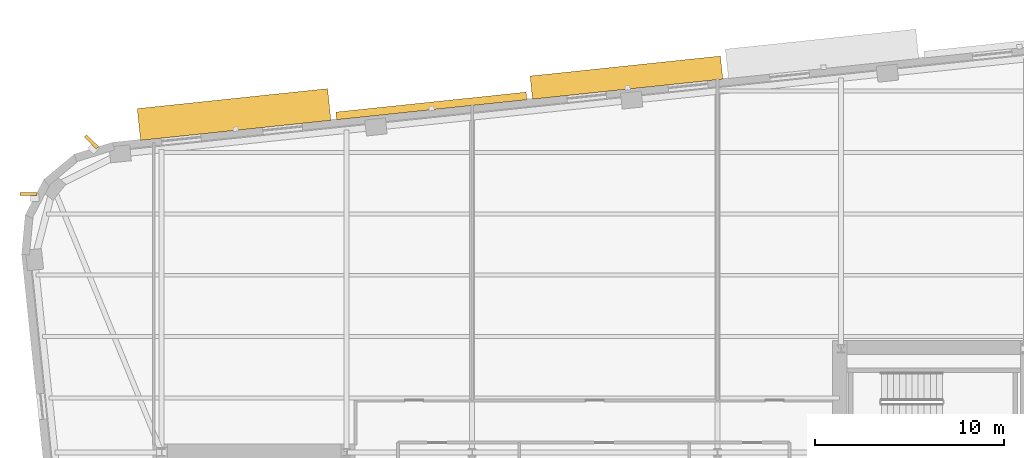
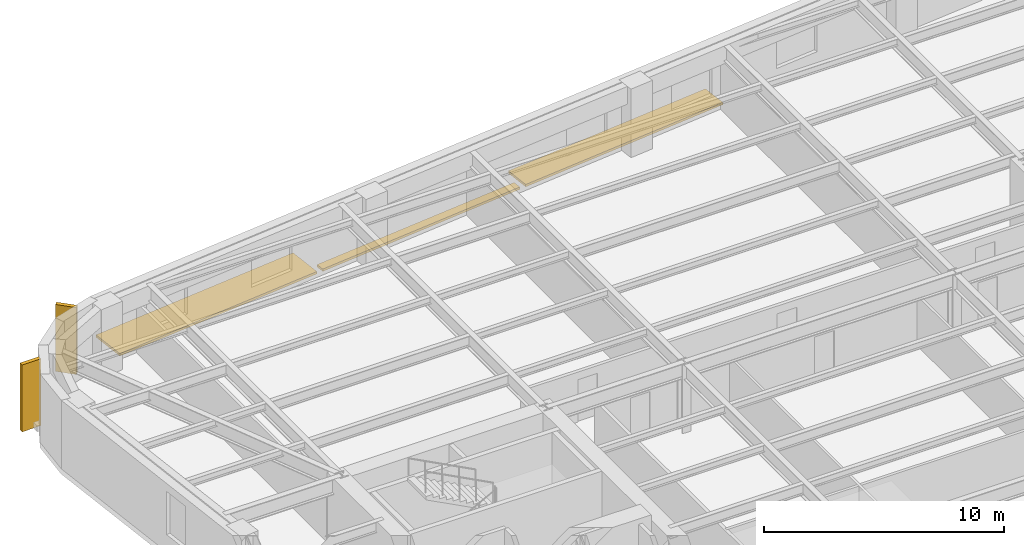
# One storey, part 12 of 14: 5 shading devices.
"""IFC4 building model written with IfcOpenShell, lengths in metres."""

from ifc_helpers import new_model, si_unit, direction, frame, origin, origin_2d, place, context, subcontext, project, spatial, rectangle, extrude, material, type_object, element, save


model = new_model("IFC4")

# Units and contexts
model_context = context("Model", 3, precision=1e-05, world=origin(), true_north=direction((0.0, 1.0)))
body_context = subcontext(model_context, "Body", "Model", "MODEL_VIEW")
ifc_project = project(units=[si_unit("LENGTHUNIT", "METRE"), si_unit("AREAUNIT", "SQUARE_METRE"), si_unit("VOLUMEUNIT", "CUBIC_METRE"), si_unit("PLANEANGLEUNIT", "RADIAN"), si_unit("MASSUNIT", "GRAM", prefix="KILO")], contexts=[model_context])

# Site, building, storey
site_placement = place(None, origin())
site = spatial("IfcSite", under=ifc_project, at=site_placement, CompositionType="ELEMENT")
building_placement = place(site_placement, origin())
building = spatial("IfcBuilding", under=site, at=building_placement, Name="Kolvaren Arena Tower", CompositionType="ELEMENT")
storey_placement = place(building_placement, frame((0.0, 0.0, 130.75)))
storey = spatial("IfcBuildingStorey", under=building, at=storey_placement, Name="L30", CompositionType="ELEMENT", Elevation=130.75)

# Shading devices
ifc_material_1 = material(Name="Precast architectural concrete C50/60 rib fin", Category="concrete")
shading_device_type_1 = type_object("IfcShadingDeviceType", Name="SHAD-FIN-28", PredefinedType="USERDEFINED", material=ifc_material_1)
for number, where, z_axis, x_axis, name in (
    (1, (10.82373046875, 50.31982421875, 0.02001953125), (0.0, 0.0, 1.0), (-0.710184146885, 0.704015963962, 0.0), "Precast 28-Deg Corner Rib Fin (L30)"),
    (2, (7.495361328125, 47.5517578125, 0.02001953125), (0.0, 0.0, 1.0), (-0.999990541547, -0.004349346783, 0.0), "Precast 28-Deg Corner Rib Fin (L30)"),
):
    element("IfcShadingDevice", number, at=place(storey_placement, frame(where, z_axis=z_axis, x_axis=x_axis)), inside=storey, type_object=shading_device_type_1, Name=name, ObjectType="FIN", PredefinedType="USERDEFINED", context=body_context, shape_type="SweptSolid", body=[
        extrude(rectangle(XDim=0.89990234375, YDim=0.179931640625, at=origin_2d()), origin(), (0.0, 0.0, 1.0), 3.39990234375),
    ])
ifc_material_2 = material(Name="Architectural precast GFRC and anodised aluminium sunshade", Category="concrete")
shading_device_type_2 = type_object("IfcShadingDeviceType", Name="SHAD-SINE-A", PredefinedType="USERDEFINED", material=ifc_material_2)
shading_device_1_placement = place(storey_placement, frame((28.83740234375, 52.21875, -0.14013671875), z_axis=(0.0, 0.0, 1.0), x_axis=(0.994522077803, 0.104526727499, 0.0)))
element("IfcShadingDevice", 3, at=shading_device_1_placement, inside=storey, type_object=shading_device_type_2, Name="Sinusoidal Slab-Edge Sunshade Louvre (L30)", ObjectType="LOUVRE", PredefinedType="USERDEFINED", context=body_context, shape_type="SweptSolid", body=[
    extrude(rectangle(XDim=10.139892578125, YDim=0.40625, at=origin_2d()), origin(), (0.0, 0.0, 1.0), 0.1201171875),
])
shading_device_2_placement = place(storey_placement, frame((39.177001953125, 53.719970703125, -0.14013671875), z_axis=(0.0, 0.0, 1.0), x_axis=(0.994522077803, 0.104526727499, 0.0)))
element("IfcShadingDevice", 4, at=shading_device_2_placement, inside=storey, type_object=shading_device_type_2, Name="Sinusoidal Slab-Edge Sunshade Louvre (L30)", ObjectType="LOUVRE", PredefinedType="USERDEFINED", context=body_context, shape_type="SweptSolid", body=[
    extrude(rectangle(XDim=10.139892578125, YDim=1.23046875, at=origin_2d()), origin(), (0.0, 0.0, 1.0), 0.1201171875),
])
shading_device_type_3 = type_object("IfcShadingDeviceType", Name="SHAD-SINE-B", PredefinedType="JALOUSIE", material=ifc_material_2)
shading_device_3_placement = place(storey_placement, frame((18.3876953125, 51.76513671875, -0.14013671875), z_axis=(0.0, 0.0, 1.0), x_axis=(0.994522077803, 0.104526727499, 0.0)))
element("IfcShadingDevice", 5, at=shading_device_3_placement, inside=storey, type_object=shading_device_type_3, Name="Sinusoidal Slab-Edge Sunshade Louvre (L30)", PredefinedType="JALOUSIE", context=body_context, shape_type="SweptSolid", body=[
    extrude(rectangle(XDim=10.139892578125, YDim=1.688720703125, at=origin_2d()), origin(), (0.0, 0.0, 1.0), 0.1201171875),
])

save(model, "model.ifc")
